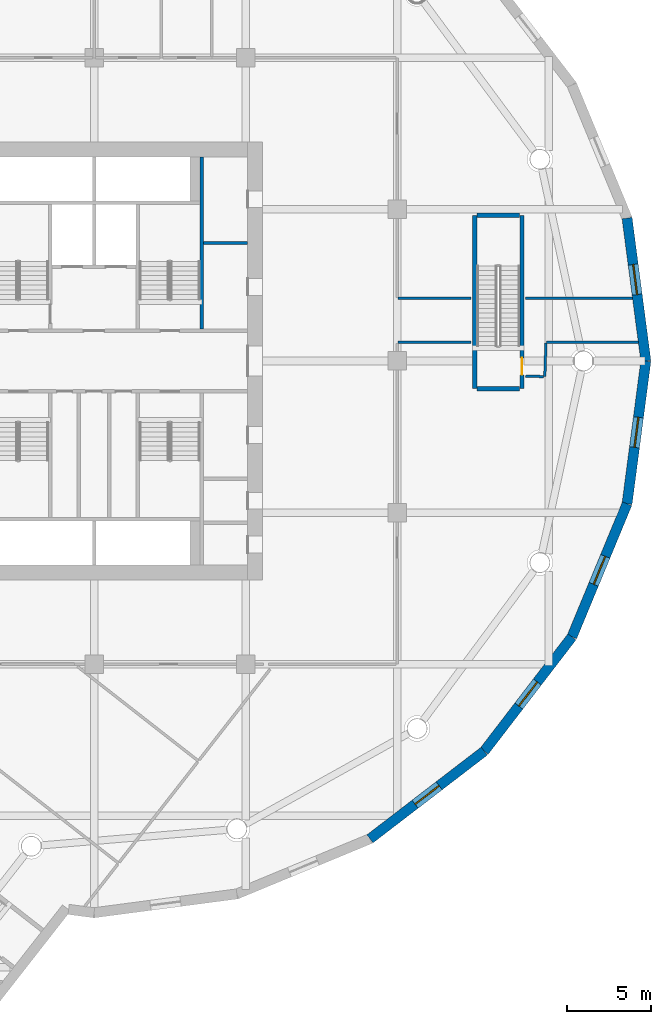
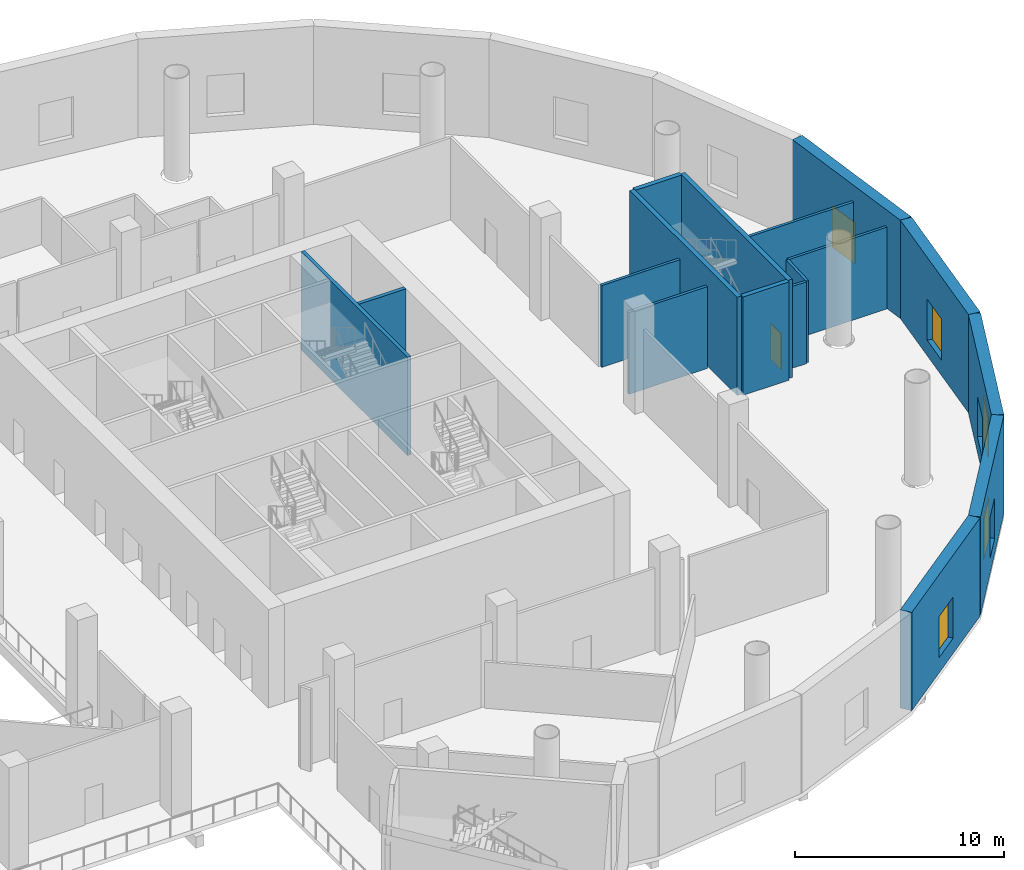
# One storey, part 7 of 24: 17 walls, 5 windows, 1 door, 6 openings.
"""IFC4 building model written with IfcOpenShell, lengths in metres."""

import ifcopenshell
import ifcopenshell.guid

model = None  # the IFC model being written
_history = None  # IfcOwnerHistory: only IFC2X3 demands one
_inside = {}  # id of a spatial element -> (the spatial element, [elements in it])
_under = {}  # id of a project, library or spatial element -> (it, [spatial elements below it])
_declared = {}  # id of a project -> (the project, [libraries it declares])
_typed = {}  # id of a type object -> (the type object, [elements of that type])
_made_of = {}  # id of a material, layer set ... -> (it, [elements and type objects made of it])


def new_model(schema):
    """Start an empty IFC model of exactly this schema.

    Asked for "IFC4X3", IfcOpenShell would pick the latest addendum, in which some entities
    have other attributes; the version numbers below select the first issue.
    IFC2X3 requires an IfcOwnerHistory on every rooted entity: one is made here for all.
    """
    global model, _history
    if schema == "IFC4X3":
        model = ifcopenshell.file(schema_version=(4, 3, 0, 0))
    else:
        model = ifcopenshell.file(schema=schema)
    _inside.clear()
    _under.clear()
    _declared.clear()
    _typed.clear()
    _made_of.clear()
    _history = None
    if model.schema == "IFC2X3":
        org = make("IfcOrganization", Name="unknown")
        user = make(
            "IfcPersonAndOrganization",
            ThePerson=make("IfcPerson", FamilyName="unknown"),
            TheOrganization=org,
        )
        app = make(
            "IfcApplication",
            ApplicationDeveloper=org,
            Version="unknown",
            ApplicationFullName="unknown",
            ApplicationIdentifier="unknown",
        )
        _history = make(
            "IfcOwnerHistory",
            OwningUser=user,
            OwningApplication=app,
            ChangeAction="ADDED",
            CreationDate=0,
        )
    return model


def make(cls, **values):
    """One entity of the class cls with the attributes given. An attribute that is None is left unset."""
    return model.create_entity(
        cls, **{name: value for name, value in values.items() if value is not None}
    )


def rooted(cls, **values):
    """An entity with a GlobalId (a new one), such as an element, a storey or a relation."""
    return make(cls, GlobalId=ifcopenshell.guid.new(), OwnerHistory=_history, **values)


def si_unit(unit_type, name, prefix=None):
    """IfcSIUnit, for example si_unit("LENGTHUNIT", "METRE", prefix="MILLI")."""
    return make("IfcSIUnit", UnitType=unit_type, Prefix=prefix, Name=name)


def assignment(units):
    """IfcUnitAssignment: the units of a project."""
    return None if units is None else make("IfcUnitAssignment", Units=units)


def point(xyz):
    """IfcCartesianPoint."""
    return None if xyz is None else make("IfcCartesianPoint", Coordinates=xyz)


def direction(xyz):
    """IfcDirection."""
    return None if xyz is None else make("IfcDirection", DirectionRatios=xyz)


def frame(location, z_axis=None, x_axis=None):
    """IfcAxis2Placement3D, a coordinate frame: its origin and axes. An axis left out is left unset."""
    return make(
        "IfcAxis2Placement3D",
        Location=point(location),
        Axis=direction(z_axis),
        RefDirection=direction(x_axis),
    )


def frame_2d(location, x_axis=None):
    """IfcAxis2Placement2D, a coordinate frame in the plane: its origin and x axis."""
    return make(
        "IfcAxis2Placement2D", Location=point(location), RefDirection=direction(x_axis)
    )


def origin():
    """The frame at (0, 0, 0) with its axes left unset."""
    return frame((0.0, 0.0, 0.0))


def place(relative_to, where):
    """IfcLocalPlacement: puts the frame where relative to a parent placement (None: the world)."""
    return make(
        "IfcLocalPlacement", PlacementRelTo=relative_to, RelativePlacement=where
    )


def context(
    kind, dimensions, precision=None, world=None, true_north=None, identifier=None
):
    """IfcGeometricRepresentationContext, for example the 3D "Model" context."""
    return make(
        "IfcGeometricRepresentationContext",
        ContextIdentifier=identifier,
        ContextType=kind,
        CoordinateSpaceDimension=dimensions,
        Precision=precision,
        WorldCoordinateSystem=world,
        TrueNorth=true_north,
    )


def subcontext(parent, identifier, kind, view, scale=None):
    """IfcGeometricRepresentationSubContext, for example "Body" below "Model"."""
    return make(
        "IfcGeometricRepresentationSubContext",
        ContextIdentifier=identifier,
        ContextType=kind,
        ParentContext=parent,
        TargetScale=scale,
        TargetView=view,
    )


def project(units=None, contexts=None):
    """IfcProject with its units and contexts."""
    return rooted(
        "IfcProject",
        Name="project",
        RepresentationContexts=contexts,
        UnitsInContext=assignment(units),
    )


def spatial(cls, under=None, at=None, **own):
    """A site, building, storey or space (cls), placed at a placement, below another one or the project."""
    s = rooted(cls, ObjectPlacement=at, **own)
    if under is not None:
        _under.setdefault(under.id(), (under, []))[1].append(s)
    return s


def profile(cls, at=None, kind="AREA", **sizes):
    """A parametric profile (cls). Its sizes go by their IFC names, for example OverallWidth=200.0."""
    return make(cls, ProfileType=kind, Position=at, **sizes)


def rectangle(**sizes):
    """IfcRectangleProfileDef."""
    return profile("IfcRectangleProfileDef", **sizes)


def extrude(swept, where, along, depth):
    """IfcExtrudedAreaSolid: the profile swept, set in the frame where, extruded along a direction by depth."""
    return make(
        "IfcExtrudedAreaSolid",
        SweptArea=swept,
        Position=where,
        ExtrudedDirection=direction(along),
        Depth=depth,
    )


def shape(context_of_items, identifier, shape_type, items):
    """IfcShapeRepresentation: the items that make up one representation, for example the "Body"."""
    return make(
        "IfcShapeRepresentation",
        ContextOfItems=context_of_items,
        RepresentationIdentifier=identifier,
        RepresentationType=shape_type,
        Items=items,
    )


def material(Name=None, Category=None):
    """IfcMaterial."""
    return make("IfcMaterial", Name=Name, Category=Category)


def layer(
    of_material, thickness, ventilated=None, Name=None, Category=None, Priority=None
):
    """IfcMaterialLayer: one layer of a wall or slab, of a material (None: an air gap)."""
    return make(
        "IfcMaterialLayer",
        Material=of_material,
        LayerThickness=thickness,
        IsVentilated=ventilated,
        Name=Name,
        Category=Category,
        Priority=Priority,
    )


def layer_set(layers, Name=None):
    """IfcMaterialLayerSet."""
    return make("IfcMaterialLayerSet", MaterialLayers=layers, LayerSetName=Name)


def made_of(thing, what):
    """Note that an element or type object is made of a material, layer set ...; save() writes the relation."""
    if what is not None:
        _made_of.setdefault(what.id(), (what, []))[1].append(thing)
    return thing


def type_object(cls, material=None, **own):
    """A type object (cls), such as IfcWallType, which elements share."""
    return made_of(rooted(cls, **own), material)


def element(
    cls,
    number,
    at=None,
    inside=None,
    cuts=None,
    type_object=None,
    material=None,
    context=None,
    identifier="Body",
    shape_type=None,
    held_by="IfcProductDefinitionShape",
    body=None,
    shapes=None,
    **own,
):
    """One element of the class cls, such as IfcWall. Its Tag is "e" and its number.

    at: its placement. inside: the storey or other place that contains it. cuts: it is an
    opening in that element (IfcRelVoidsElement). A single representation is given by context,
    identifier, shape_type and body (its items); several are given by shapes. held_by: the class
    of the entity that holds the representations. save() writes the other relations.
    """
    e = rooted(cls, Tag="e%d" % number, ObjectPlacement=at, **own)
    if body is not None:
        shapes = [shape(context, identifier, shape_type, body)]
    if shapes is not None:
        e.Representation = make(held_by, Representations=shapes)
    if inside is not None:
        _inside.setdefault(inside.id(), (inside, []))[1].append(e)
    if cuts is not None:
        rooted(
            "IfcRelVoidsElement", RelatingBuildingElement=cuts, RelatedOpeningElement=e
        )
    if type_object is not None:
        _typed.setdefault(type_object.id(), (type_object, []))[1].append(e)
    return made_of(e, material)


def fill(opening, filler):
    """IfcRelFillsElement: the door or window that sits in an opening."""
    return rooted(
        "IfcRelFillsElement",
        RelatingOpeningElement=opening,
        RelatedBuildingElement=filler,
    )


def aggregate(whole, parts):
    """IfcRelAggregates: a whole, such as a stair, and the parts it consists of."""
    return rooted("IfcRelAggregates", RelatingObject=whole, RelatedObjects=parts)


def save(model, path):
    """Write the relations noted so far, then the file.

    IfcRelAggregates (storeys below a building ...), IfcRelContainedInSpatialStructure (elements
    in a storey), IfcRelDefinesByType, IfcRelAssociatesMaterial and IfcRelDeclares: one each for
    every whole, place, type object, material and project.
    """
    for whole, parts in _under.values():
        aggregate(whole, parts)
    for where, things in _inside.values():
        rooted(
            "IfcRelContainedInSpatialStructure",
            RelatedElements=things,
            RelatingStructure=where,
        )
    for kind, things in _typed.values():
        rooted("IfcRelDefinesByType", RelatedObjects=things, RelatingType=kind)
    for what, things in _made_of.values():
        rooted("IfcRelAssociatesMaterial", RelatedObjects=things, RelatingMaterial=what)
    for by, libraries in _declared.values():
        rooted("IfcRelDeclares", RelatingContext=by, RelatedDefinitions=libraries)
    model.write(path)


model = new_model("IFC4")

# Units and contexts
model_context = context("Model", 3, precision=1e-05, world=origin(), true_north=direction((0.0, 1.0)))
body_context = subcontext(model_context, "Body", "Model", "MODEL_VIEW")
ifc_project = project(units=[si_unit("LENGTHUNIT", "METRE"), si_unit("AREAUNIT", "SQUARE_METRE"), si_unit("VOLUMEUNIT", "CUBIC_METRE"), si_unit("PLANEANGLEUNIT", "RADIAN"), si_unit("MASSUNIT", "GRAM", prefix="KILO")], contexts=[model_context])

# Site, building, storey
site_placement = place(None, origin())
site = spatial("IfcSite", under=ifc_project, at=site_placement, CompositionType="ELEMENT")
building_placement = place(site_placement, origin())
building = spatial("IfcBuilding", under=site, at=building_placement, Name="Tarsis Ring Headquarters", CompositionType="ELEMENT")
storey_placement = place(building_placement, frame((0.0, 0.0, 8.0)))
storey = spatial("IfcBuildingStorey", under=building, at=storey_placement, Name="L01", CompositionType="ELEMENT", Elevation=8.0)

# Walls
ifc_material_1 = material(Name="Blockwork", Category="masonry")
ifc_layer_1 = layer(ifc_material_1, 0.199951171875)
ifc_layer_set_1 = layer_set([ifc_layer_1], Name="Core blockwork wall 200")
wall_type_1 = type_object("IfcWallType", Name="Core blockwork wall 200", PredefinedType="PARTITIONING", material=ifc_layer_set_1)
wall_1_placement = place(storey_placement, frame((6.5, 7.0, 0.0), z_axis=(0.0, 0.0, 1.0), x_axis=(1.0, 0.0, 0.0)))
element("IfcWall", 1, at=wall_1_placement, inside=storey, type_object=wall_type_1, Name="Core partition ED6", PredefinedType="PARTITIONING", context=body_context, shape_type="SweptSolid", body=[
    extrude(rectangle(XDim=2.60009765625, YDim=0.199951171875, at=frame_2d((1.300048828125, 0.0))), origin(), (0.0, 0.0, 1.0), 5.75),
])
ifc_material_2 = material(Name="Plasterboard partition")
ifc_layer_2 = layer(ifc_material_2, 0.14990234375)
ifc_layer_set_2 = layer_set([ifc_layer_2], Name="PO-PW150R-4783")
wall_type_2 = type_object("IfcWallType", Name="PO-PW150R-4783", PredefinedType="PARTITIONING", material=ifc_layer_set_2)
wall_2_placement = place(storey_placement, frame((25.625, 3.7119140625, 0.0), z_axis=(0.0, 0.0, 1.0), x_axis=(1.0, 0.0, 0.0)))
element("IfcWall", 2, at=wall_2_placement, inside=storey, type_object=wall_type_2, Name="L01 partition wall 43", PredefinedType="PARTITIONING", context=body_context, shape_type="SweptSolid", body=[
    extrude(rectangle(XDim=6.341552734375, YDim=0.14990234375, at=frame_2d((3.1708984375, 0.0))), origin(), (0.0, 0.0, 1.0), 4.782958984375),
])
wall_3_placement = place(storey_placement, frame((32.30908203125, 1.110107421875, 0.0), z_axis=(0.0, 0.0, 1.0), x_axis=(-1.0, 0.0, 0.0)))
element("IfcWall", 3, at=wall_3_placement, inside=storey, type_object=wall_type_2, Name="L01 partition wall 53", PredefinedType="PARTITIONING", context=body_context, shape_type="SweptSolid", body=[
    extrude(rectangle(XDim=5.442626953125, YDim=0.14990234375, at=frame_2d((2.72119140625, 0.0))), origin(), (0.0, 0.0, 1.0), 4.782958984375),
])
for number, where, z_axis, x_axis, name in (
    (4, (18.0400390625, 3.7119140625, 0.0), (0.0, 0.0, 1.0), (1.0, 0.0, 0.0), "L01 partition wall 61"),
    (5, (22.375, 1.110107421875, 0.0), (0.0, 0.0, 1.0), (-1.0, 0.0, 0.0), "L01 partition wall 62"),
):
    element("IfcWall", number, at=place(storey_placement, frame(where, z_axis=z_axis, x_axis=x_axis)), inside=storey, type_object=wall_type_2, Name=name, PredefinedType="PARTITIONING", context=body_context, shape_type="SweptSolid", body=[
        extrude(rectangle(XDim=4.3349609375, YDim=0.14990234375, at=frame_2d((2.16748046875, 0.0))), origin(), (0.0, 0.0, 1.0), 4.782958984375),
    ])
wall_4_placement = place(storey_placement, frame((26.824462890625, 1.070068359375, 0.0), z_axis=(0.0, 0.0, 1.0), x_axis=(-0.032904986071, -0.999458484326, 0.0)))
element("IfcWall", 6, at=wall_4_placement, inside=storey, type_object=wall_type_2, Name="L01 partition wall 90", PredefinedType="PARTITIONING", context=body_context, shape_type="SweptSolid", body=[
    extrude(rectangle(XDim=2.003173828125, YDim=0.14990234375, at=frame_2d((1.00146484375, 0.0))), origin(), (0.0, 0.0, 1.0), 4.782958984375),
])
wall_5_placement = place(storey_placement, frame((26.6787109375, -0.929443359375, 0.0), z_axis=(0.0, 0.0, 1.0), x_axis=(-0.99945920656, 0.03288304155, 0.0)))
element("IfcWall", 7, at=wall_5_placement, inside=storey, type_object=wall_type_2, Name="L01 partition wall 112", PredefinedType="PARTITIONING", context=body_context, shape_type="SweptSolid", body=[
    extrude(rectangle(XDim=1.05419921875, YDim=0.14990234375, at=frame_2d((0.527099609375, 0.0))), origin(), (0.0, 0.0, 1.0), 4.782958984375),
])
ifc_material_3 = material(Name="Concrete C40/50", Category="concrete")
ifc_layer_3 = layer(ifc_material_3, 0.25)
ifc_layer_set_3 = layer_set([ifc_layer_3], Name="PO-W250")
wall_type_3 = type_object("IfcWallType", Name="PO-W250", PredefinedType="SOLIDWALL", material=ifc_layer_set_3)
wall_6_placement = place(storey_placement, frame((22.60009765625, -1.64501953125, 0.0), z_axis=(0.0, 0.0, 1.0), x_axis=(0.0, 1.0, 0.0)))
element("IfcWall", 8, at=wall_6_placement, inside=storey, type_object=wall_type_3, Name="L01 shaft wall 20", PredefinedType="SOLIDWALL", context=body_context, shape_type="SweptSolid", body=[
    extrude(rectangle(XDim=10.2900390625, YDim=0.25, at=frame_2d((5.14501953125, 0.0))), origin(), (0.0, 0.0, 1.0), 5.75),
])

# Wall, opening, door
wall_7_placement = place(storey_placement, frame((25.39990234375, 8.64501953125, 0.0), z_axis=(0.0, 0.0, 1.0), x_axis=(0.0, -1.0, 0.0)))
wall_7 = element("IfcWall", 9, at=wall_7_placement, inside=storey, type_object=wall_type_3, Name="L01 shaft wall 21", PredefinedType="SOLIDWALL", context=body_context, shape_type="SweptSolid", body=[
    extrude(rectangle(XDim=10.2900390625, YDim=0.25, at=frame_2d((5.14501953125, 0.0))), origin(), (0.0, 0.0, 1.0), 5.75),
])
opening_1_placement = place(wall_7_placement, frame((8.465087890625, 0.0, 0.0)))
opening_1 = element("IfcOpeningElement", 10, at=opening_1_placement, cuts=wall_7, Name="Opening PO-D3", PredefinedType="OPENING", context=body_context, shape_type="SweptSolid", body=[
    extrude(rectangle(XDim=1.0, YDim=2.10009765625, at=frame_2d((0.5, 1.050048828125))), frame((0.0, 0.135009765625, 0.0), z_axis=(0.0, -1.0, 0.0), x_axis=(1.0, 0.0, 0.0)), (0.0, 0.0, 1.0), 0.27001953125),
])
ifc_material_4 = material(Name="Steel fire door", Category="steel")
door_type = type_object("IfcDoorType", Name="PO-D1000F", OperationType="SINGLE_SWING_LEFT", PredefinedType="DOOR", material=ifc_material_4)
door_placement = place(opening_1_placement, origin())
door = element("IfcDoor", 11, at=door_placement, inside=storey, type_object=door_type, Name="Exit stair 1 door", OperationType="SINGLE_SWING_LEFT", OverallHeight=2.10009765625, OverallWidth=1.0, PredefinedType="DOOR", context=body_context, shape_type="SweptSolid", body=[
    extrude(rectangle(XDim=1.0, YDim=2.10009765625, at=frame_2d((0.5, 1.050048828125))), frame((0.0, 0.02490234375, 0.0), z_axis=(0.0, -1.0, 0.0), x_axis=(1.0, 0.0, 0.0)), (0.0, 0.0, 1.0), 0.050048828125),
])
fill(opening_1, door)

# Walls
for number, where, z_axis, x_axis, name in (
    (12, (25.27001953125, -1.64501953125, 0.0), (0.0, 0.0, 1.0), (-1.0, 0.0, 0.0), "L01 shaft wall 75"),
    (13, (22.72998046875, 8.64501953125, 0.0), (0.0, 0.0, 1.0), (1.0, 0.0, 0.0), "L01 shaft wall 76"),
):
    element("IfcWall", number, at=place(storey_placement, frame(where, z_axis=z_axis, x_axis=x_axis)), inside=storey, type_object=wall_type_3, Name=name, PredefinedType="SOLIDWALL", context=body_context, shape_type="SweptSolid", body=[
        extrude(rectangle(XDim=2.5400390625, YDim=0.25, at=frame_2d((1.27001953125, 0.0))), origin(), (0.0, 0.0, 1.0), 5.75),
    ])

# Wall, opening, window
ifc_material_5 = material(Name="Concrete C60/75", Category="concrete")
ifc_layer_4 = layer(ifc_material_5, 0.60009765625)
ifc_layer_set_4 = layer_set([ifc_layer_4], Name="PO-W600")
wall_type_4 = type_object("IfcWallType", Name="PO-W600", PredefinedType="SOLIDWALL", material=ifc_layer_set_4)
wall_8_placement = place(storey_placement, frame((16.37890625, -28.369140625, 0.0), z_axis=(0.0, 0.0, 1.0), x_axis=(0.793356782778, 0.608756942646, 0.0)))
wall_8 = element("IfcWall", 14, at=wall_8_placement, inside=storey, type_object=wall_type_4, Name="L01 external wall 12", PredefinedType="SOLIDWALL", context=body_context, shape_type="SweptSolid", body=[
    extrude(rectangle(XDim=8.551513671875, YDim=0.60009765625, at=frame_2d((4.27587890625, 0.0))), origin(), (0.0, 0.0, 1.0), 5.75),
])
opening_2_placement = place(wall_8_placement, frame((3.375732421875, 0.0, 0.89990234375)))
opening_2 = element("IfcOpeningElement", 15, at=opening_2_placement, cuts=wall_8, Name="Opening PO-WN1", PredefinedType="OPENING", context=body_context, shape_type="SweptSolid", body=[
    extrude(rectangle(XDim=1.800048828125, YDim=2.39990234375, at=frame_2d((0.89990234375, 1.199951171875))), frame((0.0, 0.31005859375, 0.0), z_axis=(0.0, -1.0, 0.0), x_axis=(1.0, 0.0, 0.0)), (0.0, 0.0, 1.0), 0.6201171875),
])
ifc_material_6 = material(Name="Double glazing", Category="glass")
window_type = type_object("IfcWindowType", Name="PO-WN1800", PartitioningType="SINGLE_PANEL", PredefinedType="WINDOW", material=ifc_material_6)
window_1_placement = place(opening_2_placement, origin())
window_1 = element("IfcWindow", 16, at=window_1_placement, inside=storey, type_object=window_type, Name="L01 window 12.1", OverallHeight=2.39990234375, OverallWidth=1.800048828125, PartitioningType="SINGLE_PANEL", PredefinedType="WINDOW", context=body_context, shape_type="SweptSolid", body=[
    extrude(rectangle(XDim=1.800048828125, YDim=2.39990234375, at=frame_2d((0.89990234375, 1.199951171875))), frame((0.0, 0.030029296875, 0.0), z_axis=(0.0, -1.0, 0.0), x_axis=(1.0, 0.0, 0.0)), (0.0, 0.0, 1.0), 0.06005859375),
])
fill(opening_2, window_1)

wall_9_placement = place(storey_placement, frame((23.163330078125, -23.163330078125, 0.0), z_axis=(0.0, 0.0, 1.0), x_axis=(0.608756942646, 0.793356782778, 0.0)))
wall_9 = element("IfcWall", 17, at=wall_9_placement, inside=storey, type_object=wall_type_4, Name="L01 external wall 13", PredefinedType="SOLIDWALL", context=body_context, shape_type="SweptSolid", body=[
    extrude(rectangle(XDim=8.551513671875, YDim=0.60009765625, at=frame_2d((4.27587890625, 0.0))), origin(), (0.0, 0.0, 1.0), 5.75),
])
opening_3_placement = place(wall_9_placement, frame((3.375732421875, 0.0, 0.89990234375)))
opening_3 = element("IfcOpeningElement", 18, at=opening_3_placement, cuts=wall_9, Name="Opening PO-WN1", PredefinedType="OPENING", context=body_context, shape_type="SweptSolid", body=[
    extrude(rectangle(XDim=1.800048828125, YDim=2.39990234375, at=frame_2d((0.89990234375, 1.199951171875))), frame((0.0, 0.31005859375, 0.0), z_axis=(0.0, -1.0, 0.0), x_axis=(1.0, 0.0, 0.0)), (0.0, 0.0, 1.0), 0.6201171875),
])
window_2_placement = place(opening_3_placement, origin())
window_2 = element("IfcWindow", 19, at=window_2_placement, inside=storey, type_object=window_type, Name="L01 window 13.1", OverallHeight=2.39990234375, OverallWidth=1.800048828125, PartitioningType="SINGLE_PANEL", PredefinedType="WINDOW", context=body_context, shape_type="SweptSolid", body=[
    extrude(rectangle(XDim=1.800048828125, YDim=2.39990234375, at=frame_2d((0.89990234375, 1.199951171875))), frame((0.0, 0.030029296875, 0.0), z_axis=(0.0, -1.0, 0.0), x_axis=(1.0, 0.0, 0.0)), (0.0, 0.0, 1.0), 0.06005859375),
])
fill(opening_3, window_2)

wall_10_placement = place(storey_placement, frame((28.369140625, -16.37890625, 0.0), z_axis=(0.0, 0.0, 1.0), x_axis=(0.382674535665, 0.923883217595, 0.0)))
wall_10 = element("IfcWall", 20, at=wall_10_placement, inside=storey, type_object=wall_type_4, Name="L01 external wall 14", PredefinedType="SOLIDWALL", context=body_context, shape_type="SweptSolid", body=[
    extrude(rectangle(XDim=8.551513671875, YDim=0.60009765625, at=frame_2d((4.27587890625, 0.0))), origin(), (0.0, 0.0, 1.0), 5.75),
])
opening_4_placement = place(wall_10_placement, frame((3.375732421875, 0.0, 0.89990234375)))
opening_4 = element("IfcOpeningElement", 21, at=opening_4_placement, cuts=wall_10, Name="Opening PO-WN1", PredefinedType="OPENING", context=body_context, shape_type="SweptSolid", body=[
    extrude(rectangle(XDim=1.800048828125, YDim=2.39990234375, at=frame_2d((0.89990234375, 1.199951171875))), frame((0.0, 0.31005859375, 0.0), z_axis=(0.0, -1.0, 0.0), x_axis=(1.0, 0.0, 0.0)), (0.0, 0.0, 1.0), 0.6201171875),
])
window_3_placement = place(opening_4_placement, origin())
window_3 = element("IfcWindow", 22, at=window_3_placement, inside=storey, type_object=window_type, Name="L01 window 14.1", OverallHeight=2.39990234375, OverallWidth=1.800048828125, PartitioningType="SINGLE_PANEL", PredefinedType="WINDOW", context=body_context, shape_type="SweptSolid", body=[
    extrude(rectangle(XDim=1.800048828125, YDim=2.39990234375, at=frame_2d((0.89990234375, 1.199951171875))), frame((0.0, 0.030029296875, 0.0), z_axis=(0.0, -1.0, 0.0), x_axis=(1.0, 0.0, 0.0)), (0.0, 0.0, 1.0), 0.06005859375),
])
fill(opening_4, window_3)

wall_11_placement = place(storey_placement, frame((31.6416015625, -8.478271484375, 0.0), z_axis=(0.0, 0.0, 1.0), x_axis=(0.130529102837, 0.991444478179, 0.0)))
wall_11 = element("IfcWall", 23, at=wall_11_placement, inside=storey, type_object=wall_type_4, Name="L01 external wall 15", PredefinedType="SOLIDWALL", context=body_context, shape_type="SweptSolid", body=[
    extrude(rectangle(XDim=8.551513671875, YDim=0.60009765625, at=frame_2d((4.27587890625, 0.0))), origin(), (0.0, 0.0, 1.0), 5.75),
])
opening_5_placement = place(wall_11_placement, frame((3.375732421875, 0.0, 0.89990234375)))
opening_5 = element("IfcOpeningElement", 24, at=opening_5_placement, cuts=wall_11, Name="Opening PO-WN1", PredefinedType="OPENING", context=body_context, shape_type="SweptSolid", body=[
    extrude(rectangle(XDim=1.800048828125, YDim=2.39990234375, at=frame_2d((0.89990234375, 1.199951171875))), frame((0.0, 0.31005859375, 0.0), z_axis=(0.0, -1.0, 0.0), x_axis=(1.0, 0.0, 0.0)), (0.0, 0.0, 1.0), 0.6201171875),
])
window_4_placement = place(opening_5_placement, origin())
window_4 = element("IfcWindow", 25, at=window_4_placement, inside=storey, type_object=window_type, Name="L01 window 15.1", OverallHeight=2.39990234375, OverallWidth=1.800048828125, PartitioningType="SINGLE_PANEL", PredefinedType="WINDOW", context=body_context, shape_type="SweptSolid", body=[
    extrude(rectangle(XDim=1.800048828125, YDim=2.39990234375, at=frame_2d((0.89990234375, 1.199951171875))), frame((0.0, 0.030029296875, 0.0), z_axis=(0.0, -1.0, 0.0), x_axis=(1.0, 0.0, 0.0)), (0.0, 0.0, 1.0), 0.06005859375),
])
fill(opening_5, window_4)

wall_12_placement = place(storey_placement, frame((32.7578125, 0.0, 0.0), z_axis=(0.0, 0.0, 1.0), x_axis=(-0.130529102837, 0.991444478179, 0.0)))
wall_12 = element("IfcWall", 26, at=wall_12_placement, inside=storey, type_object=wall_type_4, Name="L01 external wall 16", PredefinedType="SOLIDWALL", context=body_context, shape_type="SweptSolid", body=[
    extrude(rectangle(XDim=8.551513671875, YDim=0.60009765625, at=frame_2d((4.27587890625, 0.0))), origin(), (0.0, 0.0, 1.0), 5.75),
])
opening_6_placement = place(wall_12_placement, frame((3.975830078125, 0.0, 0.89990234375)))
opening_6 = element("IfcOpeningElement", 27, at=opening_6_placement, cuts=wall_12, Name="Opening PO-WN1", PredefinedType="OPENING", context=body_context, shape_type="SweptSolid", body=[
    extrude(rectangle(XDim=1.800048828125, YDim=2.39990234375, at=frame_2d((0.89990234375, 1.199951171875))), frame((0.0, 0.31005859375, 0.0), z_axis=(0.0, -1.0, 0.0), x_axis=(1.0, 0.0, 0.0)), (0.0, 0.0, 1.0), 0.6201171875),
])
window_5_placement = place(opening_6_placement, origin())
window_5 = element("IfcWindow", 28, at=window_5_placement, inside=storey, type_object=window_type, Name="L01 window 16.1", OverallHeight=2.39990234375, OverallWidth=1.800048828125, PartitioningType="SINGLE_PANEL", PredefinedType="WINDOW", context=body_context, shape_type="SweptSolid", body=[
    extrude(rectangle(XDim=1.800048828125, YDim=2.39990234375, at=frame_2d((0.89990234375, 1.199951171875))), frame((0.0, 0.030029296875, 0.0), z_axis=(0.0, -1.0, 0.0), x_axis=(1.0, 0.0, 0.0)), (0.0, 0.0, 1.0), 0.06005859375),
])
fill(opening_6, window_5)

# Wall
ifc_material_7 = material(Name="Concrete C32/40", Category="concrete")
ifc_layer_5 = layer(ifc_material_7, 0.199951171875)
ifc_layer_set_5 = layer_set([ifc_layer_5], Name="Shaft wall 200 C32/40")
wall_type_5 = type_object("IfcWallType", Name="Shaft wall 200 C32/40", PredefinedType="SOLIDWALL", material=ifc_layer_set_5)
wall_13_placement = place(storey_placement, frame((6.39990234375, 1.89990234375, 0.0), z_axis=(0.0, 0.0, 1.0), x_axis=(0.0, 1.0, 0.0)))
element("IfcWall", 29, at=wall_13_placement, inside=storey, type_object=wall_type_5, Name="Core shaft wall EB2", PredefinedType="SOLIDWALL", context=body_context, shape_type="SweptSolid", body=[
    extrude(rectangle(XDim=10.2001953125, YDim=0.199951171875, at=frame_2d((5.10009765625, 0.0))), origin(), (0.0, 0.0, 1.0), 5.75),
])

save(model, "model.ifc")
